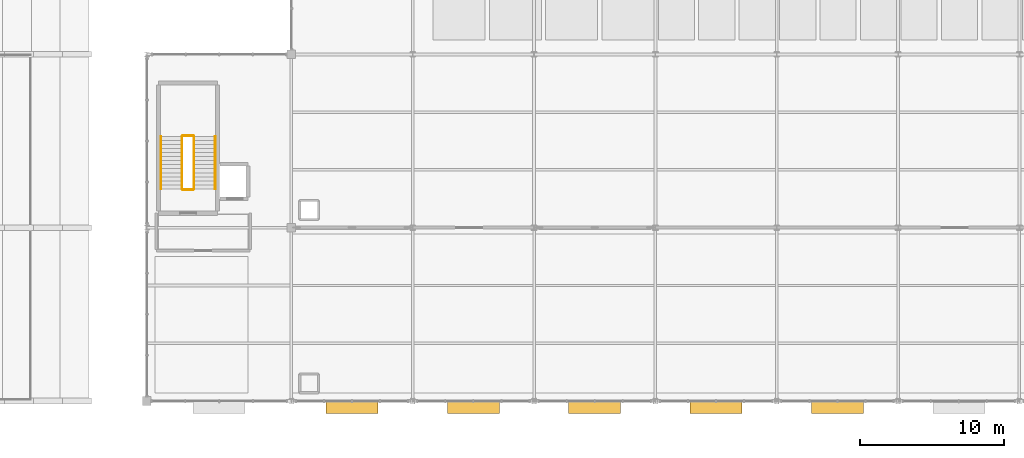
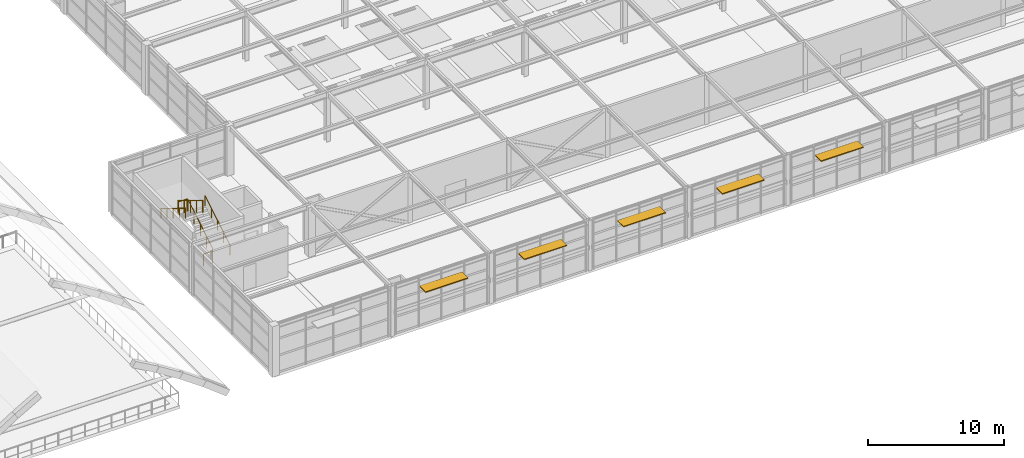
# One storey, part 73 of 82: 6 railings, 5 shading devices.
"""IFC4 building model written with IfcOpenShell, lengths in metres."""

from ifc_helpers import new_model, si_unit, direction, frame, origin, origin_2d, place, context, subcontext, project, spatial, rectangle, circle, extrude, material, type_object, element, save


model = new_model("IFC4")

# Units and contexts
model_context = context("Model", 3, precision=1e-05, world=origin(), true_north=direction((0.0, 1.0)))
body_context = subcontext(model_context, "Body", "Model", "MODEL_VIEW")
ifc_project = project(units=[si_unit("LENGTHUNIT", "METRE"), si_unit("AREAUNIT", "SQUARE_METRE"), si_unit("VOLUMEUNIT", "CUBIC_METRE"), si_unit("PLANEANGLEUNIT", "RADIAN"), si_unit("MASSUNIT", "GRAM", prefix="KILO")], contexts=[model_context])

# Site, building, storey
site_placement = place(None, origin())
site = spatial("IfcSite", under=ifc_project, at=site_placement, CompositionType="ELEMENT")
building_placement = place(site_placement, origin())
building = spatial("IfcBuilding", under=site, at=building_placement, Name="Sitalva Quay Ferry Terminal", CompositionType="ELEMENT")
storey_placement = place(building_placement, frame((0.0, 0.0, 5.39990234375)))
storey = spatial("IfcBuildingStorey", under=building, at=storey_placement, Name="L02", CompositionType="ELEMENT", Elevation=5.39990234375)

# Railings
ifc_material_1 = material(Name="Galvanised Steel S275JR", Category="steel")
railing_type_1 = type_object("IfcRailingType", Name="Railing_Guard_1100", PredefinedType="GUARDRAIL", material=ifc_material_1)
railing_1_placement = place(storey_placement, frame((77.27001953125, 20.679931640625, 0.171630859375)))
element("IfcRailing", 1, at=railing_1_placement, inside=storey, type_object=railing_type_1, Name="L02 ST-06 stair guard 1", PredefinedType="GUARDRAIL", context=body_context, shape_type="SweptSolid", body=[
    extrude(circle(Radius=0.02392578125, at=origin_2d()), frame((0.0, 0.0, 1.076171875), z_axis=(0.0, 0.852865859571, 0.52213008492), x_axis=(-1.0, 0.0, 0.0)), (0.0, 0.0, 1.0), 4.26806640625),
    extrude(circle(Radius=0.02099609375, at=origin_2d()), origin(), (0.0, 0.0, 1.0), 1.052001953125),
    extrude(circle(Radius=0.02099609375, at=origin_2d()), frame((0.0, 0.91015625, 0.55712890625)), (0.0, 0.0, 1.0), 1.052001953125),
    extrude(circle(Radius=0.02099609375, at=origin_2d()), frame((0.0, 1.820068359375, 1.1142578125)), (0.0, 0.0, 1.0), 1.052001953125),
    extrude(circle(Radius=0.02099609375, at=origin_2d()), frame((0.0, 2.72998046875, 1.67138671875)), (0.0, 0.0, 1.0), 1.052001953125),
    extrude(circle(Radius=0.02099609375, at=origin_2d()), frame((0.0, 3.64013671875, 2.228515625)), (0.0, 0.0, 1.0), 1.052001953125),
])
railing_2_placement = place(storey_placement, frame((77.219970703125, 24.3701171875, 2.400146484375)))
element("IfcRailing", 2, at=railing_2_placement, inside=storey, type_object=railing_type_1, Name="L02 ST-06 stair guard 2", PredefinedType="GUARDRAIL", context=body_context, shape_type="SweptSolid", body=[
    extrude(circle(Radius=0.02392578125, at=origin_2d()), frame((0.0, 0.0, 1.076171875), z_axis=(-1.0, 0.0, 0.0), x_axis=(0.0, -1.0, 0.0)), (0.0, 0.0, 1.0), 0.739990234375),
    extrude(circle(Radius=0.02099609375, at=origin_2d()), origin(), (0.0, 0.0, 1.0), 1.052001953125),
    extrude(circle(Radius=0.02099609375, at=origin_2d()), frame((-0.739990234375, 0.0, 0.0)), (0.0, 0.0, 1.0), 1.052001953125),
])
railing_3_placement = place(storey_placement, frame((76.429931640625, 24.320068359375, 2.571533203125)))
element("IfcRailing", 3, at=railing_3_placement, inside=storey, type_object=railing_type_1, Name="L02 ST-06 stair guard 3", PredefinedType="GUARDRAIL", context=body_context, shape_type="SweptSolid", body=[
    extrude(circle(Radius=0.02392578125, at=origin_2d()), frame((0.0, 0.0, 1.076171875), z_axis=(0.0, -0.852865859571, 0.52213008492), x_axis=(1.0, 0.0, 0.0)), (0.0, 0.0, 1.0), 4.26806640625),
    extrude(circle(Radius=0.02099609375, at=origin_2d()), origin(), (0.0, 0.0, 1.0), 1.052001953125),
    extrude(circle(Radius=0.02099609375, at=origin_2d()), frame((0.0, -0.91015625, 0.55712890625)), (0.0, 0.0, 1.0), 1.052001953125),
    extrude(circle(Radius=0.02099609375, at=origin_2d()), frame((0.0, -1.820068359375, 1.1142578125)), (0.0, 0.0, 1.0), 1.052001953125),
    extrude(circle(Radius=0.02099609375, at=origin_2d()), frame((0.0, -2.72998046875, 1.67138671875)), (0.0, 0.0, 1.0), 1.052001953125),
    extrude(circle(Radius=0.02099609375, at=origin_2d()), frame((0.0, -3.64013671875, 2.228515625)), (0.0, 0.0, 1.0), 1.052001953125),
])
railing_4_placement = place(storey_placement, frame((77.219970703125, 20.6298828125, 0.0)))
element("IfcRailing", 4, at=railing_4_placement, inside=storey, type_object=railing_type_1, Name="L02 ST-06 stair guard 4", PredefinedType="GUARDRAIL", context=body_context, shape_type="SweptSolid", body=[
    extrude(circle(Radius=0.02392578125, at=origin_2d()), frame((0.0, 0.0, 1.076171875), z_axis=(-1.0, 0.0, 0.0), x_axis=(0.0, -1.0, 0.0)), (0.0, 0.0, 1.0), 0.739990234375),
    extrude(circle(Radius=0.02099609375, at=origin_2d()), origin(), (0.0, 0.0, 1.0), 1.052001953125),
    extrude(circle(Radius=0.02099609375, at=origin_2d()), frame((-0.739990234375, 0.0, 0.0)), (0.0, 0.0, 1.0), 1.052001953125),
])
ifc_material_2 = material(Name="Stainless Steel 316L", Category="steel")
railing_type_2 = type_object("IfcRailingType", Name="Railing_Handrail_900", PredefinedType="HANDRAIL", material=ifc_material_2)
railing_5_placement = place(storey_placement, frame((78.72998046875, 20.679931640625, 0.171630859375)))
element("IfcRailing", 5, at=railing_5_placement, inside=storey, type_object=railing_type_2, Name="L02 ST-06 stair handrail 1", PredefinedType="HANDRAIL", context=body_context, shape_type="SweptSolid", body=[
    extrude(circle(Radius=0.02392578125, at=origin_2d()), frame((0.0, 0.0, 0.8759765625), z_axis=(0.0, 0.852865859571, 0.52213008492), x_axis=(-1.0, 0.0, 0.0)), (0.0, 0.0, 1.0), 4.26806640625),
    extrude(circle(Radius=0.02099609375, at=origin_2d()), origin(), (0.0, 0.0, 1.0), 0.851806640625),
    extrude(circle(Radius=0.02099609375, at=origin_2d()), frame((0.0, 0.91015625, 0.55712890625)), (0.0, 0.0, 1.0), 0.851806640625),
    extrude(circle(Radius=0.02099609375, at=origin_2d()), frame((0.0, 1.820068359375, 1.1142578125)), (0.0, 0.0, 1.0), 0.851806640625),
    extrude(circle(Radius=0.02099609375, at=origin_2d()), frame((0.0, 2.72998046875, 1.67138671875)), (0.0, 0.0, 1.0), 0.851806640625),
    extrude(circle(Radius=0.02099609375, at=origin_2d()), frame((0.0, 3.64013671875, 2.228515625)), (0.0, 0.0, 1.0), 0.851806640625),
])
railing_6_placement = place(storey_placement, frame((74.969970703125, 24.320068359375, 2.571533203125)))
element("IfcRailing", 6, at=railing_6_placement, inside=storey, type_object=railing_type_2, Name="L02 ST-06 stair handrail 2", PredefinedType="HANDRAIL", context=body_context, shape_type="SweptSolid", body=[
    extrude(circle(Radius=0.02392578125, at=origin_2d()), frame((0.0, 0.0, 0.8759765625), z_axis=(0.0, -0.852865859571, 0.52213008492), x_axis=(1.0, 0.0, 0.0)), (0.0, 0.0, 1.0), 4.26806640625),
    extrude(circle(Radius=0.02099609375, at=origin_2d()), origin(), (0.0, 0.0, 1.0), 0.851806640625),
    extrude(circle(Radius=0.02099609375, at=origin_2d()), frame((0.0, -0.91015625, 0.55712890625)), (0.0, 0.0, 1.0), 0.851806640625),
    extrude(circle(Radius=0.02099609375, at=origin_2d()), frame((0.0, -1.820068359375, 1.1142578125)), (0.0, 0.0, 1.0), 0.851806640625),
    extrude(circle(Radius=0.02099609375, at=origin_2d()), frame((0.0, -2.72998046875, 1.67138671875)), (0.0, 0.0, 1.0), 0.851806640625),
    extrude(circle(Radius=0.02099609375, at=origin_2d()), frame((0.0, -3.64013671875, 2.228515625)), (0.0, 0.0, 1.0), 0.851806640625),
])

# Shading devices
ifc_material_3 = material(Name="Anodised Marine Aluminium 6063-T6", Category="aluminium")
shading_device_type = type_object("IfcShadingDeviceType", Name="Shade_HorizontalLouvre_900", PredefinedType="USERDEFINED", material=ifc_material_3)
for number, where, z_axis, x_axis, name in (
    (7, (88.199951171875, 5.580078125, 3.507568359375), (0.0, 0.0, 1.0), (1.0, 0.0, 0.0), "Monsoon sunshade canopy BS-004"),
    (8, (96.60009765625, 5.580078125, 3.507568359375), (0.0, 0.0, 1.0), (1.0, 0.0, 0.0), "Monsoon sunshade canopy BS-006"),
    (9, (105.0, 5.580078125, 3.507568359375), (0.0, 0.0, 1.0), (1.0, 0.0, 0.0), "Monsoon sunshade canopy BS-008"),
    (10, (113.39990234375, 5.580078125, 3.507568359375), (0.0, 0.0, 1.0), (1.0, 0.0, 0.0), "Monsoon sunshade canopy BS-010"),
    (11, (121.800048828125, 5.580078125, 3.507568359375), (0.0, 0.0, 1.0), (1.0, 0.0, 0.0), "Monsoon sunshade canopy BS-012"),
):
    element("IfcShadingDevice", number, at=place(storey_placement, frame(where, z_axis=z_axis, x_axis=x_axis)), inside=storey, type_object=shading_device_type, Name=name, ObjectType="SUNSHADE", PredefinedType="USERDEFINED", context=body_context, shape_type="SweptSolid", body=[
        extrude(rectangle(XDim=3.60009765625, YDim=0.89990234375, at=origin_2d()), origin(), (0.0, 0.0, 1.0), 0.0849609375),
    ])

save(model, "model.ifc")
